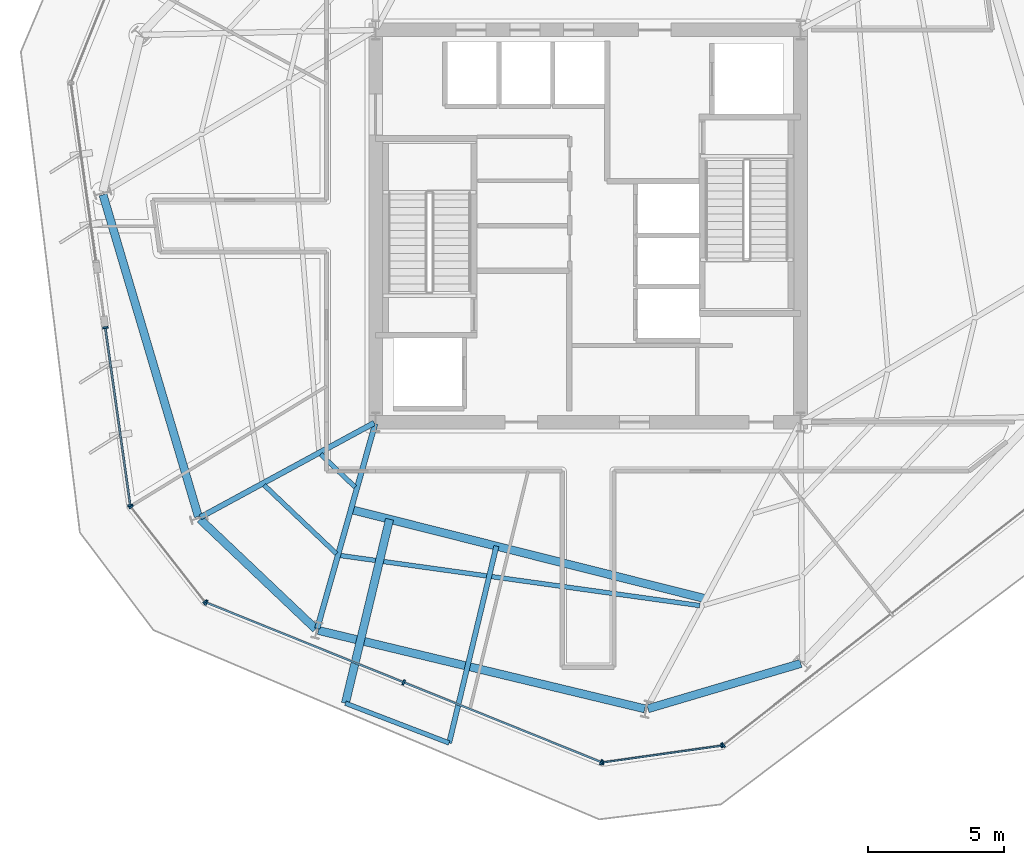
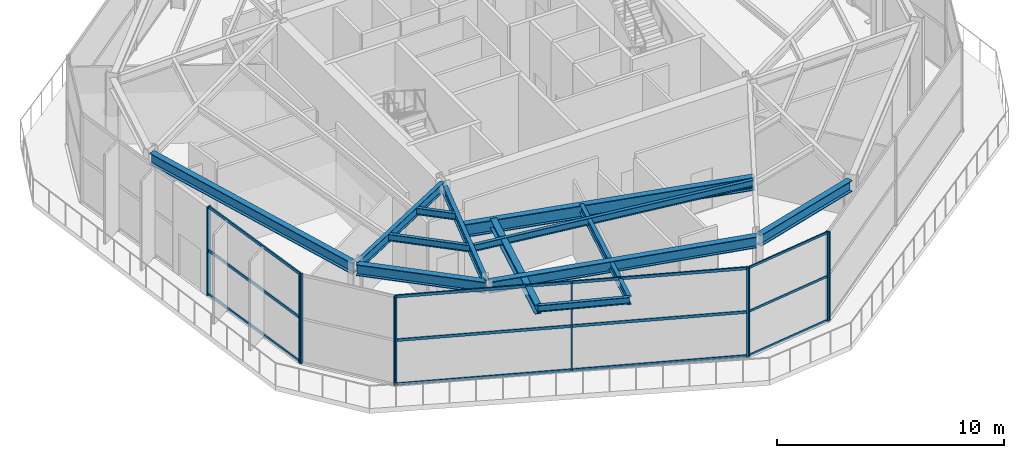
# One storey, part 2 of 14: 22 members, 13 beams, 5 elements without a shape of their own.
"""IFC4 building model written with IfcOpenShell, lengths in metres."""

from ifc_helpers import new_model, si_unit, direction, frame, origin, origin_2d, place, context, subcontext, project, spatial, rectangle, i_section, extrude, material, layer, layer_set, material_profile, profile_set, type_object, element, aggregate, save


model = new_model("IFC4")

# Units and contexts
model_context = context("Model", 3, precision=1e-05, world=origin(), true_north=direction((0.0, 1.0)))
body_context = subcontext(model_context, "Body", "Model", "MODEL_VIEW")
ifc_project = project(units=[si_unit("LENGTHUNIT", "METRE"), si_unit("AREAUNIT", "SQUARE_METRE"), si_unit("VOLUMEUNIT", "CUBIC_METRE"), si_unit("PLANEANGLEUNIT", "RADIAN"), si_unit("MASSUNIT", "GRAM", prefix="KILO")], contexts=[model_context])

# Site, building, storey
site_placement = place(None, origin())
site = spatial("IfcSite", under=ifc_project, at=site_placement, CompositionType="ELEMENT")
building_placement = place(site_placement, origin())
building = spatial("IfcBuilding", under=site, at=building_placement, Name="Kranzbogen Civic Tower", CompositionType="ELEMENT")
storey_placement = place(building_placement, frame((0.0, 0.0, 175.800048828125)))
storey = spatial("IfcBuildingStorey", under=building, at=storey_placement, Name="L42", CompositionType="ELEMENT", Elevation=175.800048828125)

# Beam
ifc_material_1 = material(Name="Steel S355", Category="steel")
ifc_material_profile_1 = material_profile(ifc_material_1, i_section(OverallWidth=0.18994140625, OverallDepth=0.449951171875, WebThickness=0.009521484375, FlangeThickness=0.0146484375, at=origin_2d()), Name="IPE 450")
ifc_profile_set_1 = profile_set([ifc_material_profile_1], Name="Steel S355")
beam_type_1 = type_object("IfcBeamType", Name="Braced Terrace Edge Beam IPE 450", PredefinedType="BEAM", material=ifc_profile_set_1)
beam_1_placement = place(storey_placement, frame((21.633056640625, 13.2470703125, 4.52490234375), z_axis=(-0.233391583111, -0.972382830439, 0.0), x_axis=(0.972382830439, -0.233391583111, 0.0)))
element("IfcBeam", 1, at=beam_1_placement, inside=storey, type_object=beam_type_1, Name="L43 back-spanned terrace beam L43-TB2-2", PredefinedType="BEAM", context=body_context, shape_type="SweptSolid", body=[
    extrude(i_section(OverallWidth=0.18994140625, OverallDepth=0.449951171875, WebThickness=0.009521484375, FlangeThickness=0.0146484375, at=origin_2d()), origin(), (0.0, 0.0, 1.0), 7.434326171875),
])

# Curtain wall, members
ifc_material_2 = material(Name="Pale Anodised Aluminium", Category="aluminium")
ifc_layer_1 = layer(ifc_material_2, 0.219970703125, Name="Pale Anodised Aluminium")
ifc_layer_set_1 = layer_set([ifc_layer_1], Name="Pale Anodised Aluminium")
curtain_wall_type_1 = type_object("IfcCurtainWallType", Name="Chamfer Facet Stick Curtain Wall System CW-06", PredefinedType="USERDEFINED", material=ifc_layer_set_1)
curtain_wall_1_placement = place(storey_placement, origin())
curtain_wall_1 = element("IfcCurtainWall", 2, at=curtain_wall_1_placement, inside=storey, type_object=curtain_wall_type_1, Name="L42 curtain wall CW-L42-C3", ObjectType="STICK CURTAIN WALL", PredefinedType="USERDEFINED")
ifc_material_profile_2 = material_profile(ifc_material_2, rectangle(XDim=0.06005859375, YDim=0.159912109375, at=origin_2d()), Name="ALU-M 60x160")
ifc_profile_set_2 = profile_set([ifc_material_profile_2], Name="Pale Anodised Aluminium")
member_type_1 = type_object("IfcMemberType", Name="Curtain Wall Mullion ALU-M 60x160", PredefinedType="MULLION", material=ifc_profile_set_2)
member_1_placement = place(storey_placement, frame((8.215576171875, 14.683349609375, 0.0), z_axis=(0.0, 0.0, 1.0), x_axis=(0.615674442522, -0.78800062235, 0.0)))
member_1 = element("IfcMember", 3, at=member_1_placement, type_object=member_type_1, Name="CW-06 mullion 1", PredefinedType="MULLION", context=body_context, shape_type="SweptSolid", body=[
    extrude(rectangle(XDim=0.06005859375, YDim=0.159912109375, at=origin_2d()), origin(), (0.0, 0.0, 1.0), 4.780029296875),
])
member_2_placement = place(storey_placement, frame((10.929443359375, 11.209716796875, 0.0), z_axis=(0.0, 0.0, 1.0), x_axis=(0.615674442522, -0.78800062235, 0.0)))
member_2 = element("IfcMember", 4, at=member_2_placement, type_object=member_type_1, Name="CW-06 mullion 2", PredefinedType="MULLION", context=body_context, shape_type="SweptSolid", body=[
    extrude(rectangle(XDim=0.06005859375, YDim=0.159912109375, at=origin_2d()), origin(), (0.0, 0.0, 1.0), 4.780029296875),
])
aggregate(curtain_wall_1, [member_1, member_2])

curtain_wall_2_placement = place(storey_placement, origin())
curtain_wall_2 = element("IfcCurtainWall", 5, at=curtain_wall_2_placement, inside=storey, type_object=curtain_wall_type_1, Name="L42 curtain wall CW-L42-C4", ObjectType="STICK CURTAIN WALL", PredefinedType="USERDEFINED")
member_3_placement = place(storey_placement, frame((25.541748046875, 5.30615234375, 0.0), z_axis=(0.0, 0.0, 1.0), x_axis=(0.990233903611, 0.139415982364, 0.0)))
member_3 = element("IfcMember", 6, at=member_3_placement, type_object=member_type_1, Name="CW-06 mullion 1", PredefinedType="MULLION", context=body_context, shape_type="SweptSolid", body=[
    extrude(rectangle(XDim=0.06005859375, YDim=0.159912109375, at=origin_2d()), origin(), (0.0, 0.0, 1.0), 4.780029296875),
])
member_4_placement = place(storey_placement, frame((29.9072265625, 5.9208984375, 0.0), z_axis=(0.0, 0.0, 1.0), x_axis=(0.990233903611, 0.139415982364, 0.0)))
member_4 = element("IfcMember", 7, at=member_4_placement, type_object=member_type_1, Name="CW-06 mullion 2", PredefinedType="MULLION", context=body_context, shape_type="SweptSolid", body=[
    extrude(rectangle(XDim=0.06005859375, YDim=0.159912109375, at=origin_2d()), origin(), (0.0, 0.0, 1.0), 4.780029296875),
])

ifc_layer_2 = layer(ifc_material_2, 0.219970703125, Name="Pale Anodised Aluminium")
ifc_layer_set_2 = layer_set([ifc_layer_2], Name="Pale Anodised Aluminium")
curtain_wall_type_2 = type_object("IfcCurtainWallType", Name="Zone 3 Stick Curtain Wall System CW-04", PredefinedType="USERDEFINED", material=ifc_layer_set_2)
curtain_wall_3_placement = place(storey_placement, origin())
curtain_wall_3 = element("IfcCurtainWall", 8, at=curtain_wall_3_placement, inside=storey, type_object=curtain_wall_type_2, Name="L42 curtain wall CW-L42-F3-S2", ObjectType="STICK CURTAIN WALL", PredefinedType="USERDEFINED")
ifc_material_profile_3 = material_profile(ifc_material_2, rectangle(XDim=0.070068359375, YDim=0.199951171875, at=origin_2d()), Name="ALU-M 70x200")
ifc_profile_set_3 = profile_set([ifc_material_profile_3], Name="Pale Anodised Aluminium")
member_type_2 = type_object("IfcMemberType", Name="Curtain Wall Mullion ALU-M 70x200", PredefinedType="MULLION", material=ifc_profile_set_3)
member_5_placement = place(storey_placement, frame((7.275146484375, 21.267333984375, 0.0), z_axis=(0.0, 0.0, 1.0), x_axis=(0.139148919332, -0.990271466947, 0.0)))
member_5 = element("IfcMember", 9, at=member_5_placement, type_object=member_type_2, Name="CW-04 mullion 1", PredefinedType="MULLION", context=body_context, shape_type="SweptSolid", body=[
    extrude(rectangle(XDim=0.070068359375, YDim=0.199951171875, at=origin_2d()), origin(), (0.0, 0.0, 1.0), 4.780029296875),
])
member_6_placement = place(storey_placement, frame((8.19287109375, 14.73681640625, 0.0), z_axis=(0.0, 0.0, 1.0), x_axis=(0.139148919332, -0.990271466947, 0.0)))
member_6 = element("IfcMember", 10, at=member_6_placement, type_object=member_type_2, Name="CW-04 mullion 2", PredefinedType="MULLION", context=body_context, shape_type="SweptSolid", body=[
    extrude(rectangle(XDim=0.070068359375, YDim=0.199951171875, at=origin_2d()), origin(), (0.0, 0.0, 1.0), 4.780029296875),
])

curtain_wall_4_placement = place(storey_placement, origin())
curtain_wall_4 = element("IfcCurtainWall", 11, at=curtain_wall_4_placement, inside=storey, type_object=curtain_wall_type_2, Name="L42 curtain wall CW-L42-F4", ObjectType="STICK CURTAIN WALL", PredefinedType="USERDEFINED")
member_7_placement = place(storey_placement, frame((10.975830078125, 11.1748046875, 0.0), z_axis=(0.0, 0.0, 1.0), x_axis=(0.927189116105, -0.374593570389, 0.0)))
member_7 = element("IfcMember", 12, at=member_7_placement, type_object=member_type_2, Name="CW-04 mullion 1", PredefinedType="MULLION", context=body_context, shape_type="SweptSolid", body=[
    extrude(rectangle(XDim=0.070068359375, YDim=0.199951171875, at=origin_2d()), origin(), (0.0, 0.0, 1.0), 4.780029296875),
])
member_8_placement = place(storey_placement, frame((18.22998046875, 8.243896484375, 0.0), z_axis=(0.0, 0.0, 1.0), x_axis=(0.927189116105, -0.374593570389, 0.0)))
member_8 = element("IfcMember", 13, at=member_8_placement, type_object=member_type_2, Name="CW-04 mullion 2", PredefinedType="MULLION", context=body_context, shape_type="SweptSolid", body=[
    extrude(rectangle(XDim=0.070068359375, YDim=0.199951171875, at=origin_2d()), origin(), (0.0, 0.0, 1.0), 4.780029296875),
])
member_9_placement = place(storey_placement, frame((25.484130859375, 5.313232421875, 0.0), z_axis=(0.0, 0.0, 1.0), x_axis=(0.927189116105, -0.374593570389, 0.0)))
member_9 = element("IfcMember", 14, at=member_9_placement, type_object=member_type_2, Name="CW-04 mullion 3", PredefinedType="MULLION", context=body_context, shape_type="SweptSolid", body=[
    extrude(rectangle(XDim=0.070068359375, YDim=0.199951171875, at=origin_2d()), origin(), (0.0, 0.0, 1.0), 4.780029296875),
])

# Curtain wall, member
curtain_wall_5_placement = place(storey_placement, origin())
curtain_wall_5 = element("IfcCurtainWall", 15, at=curtain_wall_5_placement, inside=storey, type_object=curtain_wall_type_2, Name="L42 curtain wall CW-L42-F5", ObjectType="STICK CURTAIN WALL", PredefinedType="USERDEFINED")
member_10_placement = place(storey_placement, frame((29.960693359375, 5.943359375, 0.0), z_axis=(0.0, 0.0, 1.0), x_axis=(0.788034025548, 0.615631687439, 0.0)))
member_10 = element("IfcMember", 16, at=member_10_placement, type_object=member_type_2, Name="CW-04 mullion 1", PredefinedType="MULLION", context=body_context, shape_type="SweptSolid", body=[
    extrude(rectangle(XDim=0.070068359375, YDim=0.199951171875, at=origin_2d()), origin(), (0.0, 0.0, 1.0), 4.780029296875),
])
aggregate(curtain_wall_5, [member_10])

# Member
ifc_material_profile_4 = material_profile(ifc_material_2, rectangle(XDim=0.06005859375, YDim=0.1201171875, at=origin_2d()), Name="ALU-T 60x120")
ifc_profile_set_4 = profile_set([ifc_material_profile_4], Name="Pale Anodised Aluminium")
member_type_3 = type_object("IfcMemberType", Name="Curtain Wall Transom ALU-T 60x120", PredefinedType="USERDEFINED", material=ifc_profile_set_4)
member_11_placement = place(storey_placement, frame((25.571533203125, 5.310302734375, 0.030029296875), z_axis=(0.990228252291, 0.139456116266, 0.0), x_axis=(-0.139456116266, 0.990228252291, 0.0)))
member_11 = element("IfcMember", 17, at=member_11_placement, type_object=member_type_3, Name="CW-06 transom 1.1", ObjectType="TRANSOM", PredefinedType="USERDEFINED", context=body_context, shape_type="SweptSolid", body=[
    extrude(rectangle(XDim=0.06005859375, YDim=0.1201171875, at=origin_2d()), origin(), (0.0, 0.0, 1.0), 4.3486328125),
])

member_12_placement = place(storey_placement, frame((25.571533203125, 5.310302734375, 2.39990234375), z_axis=(0.990228252291, 0.139456116266, 0.0), x_axis=(-0.139456116266, 0.990228252291, 0.0)))
member_12 = element("IfcMember", 18, at=member_12_placement, type_object=member_type_3, Name="CW-06 transom 1.2", ObjectType="TRANSOM", PredefinedType="USERDEFINED", context=body_context, shape_type="SweptSolid", body=[
    extrude(rectangle(XDim=0.06005859375, YDim=0.1201171875, at=origin_2d()), origin(), (0.0, 0.0, 1.0), 4.3486328125),
])

member_13_placement = place(storey_placement, frame((25.571533203125, 5.310302734375, 4.75), z_axis=(0.990228252291, 0.139456116266, 0.0), x_axis=(-0.139456116266, 0.990228252291, 0.0)))
member_13 = element("IfcMember", 19, at=member_13_placement, type_object=member_type_3, Name="CW-06 transom 1.3", ObjectType="TRANSOM", PredefinedType="USERDEFINED", context=body_context, shape_type="SweptSolid", body=[
    extrude(rectangle(XDim=0.06005859375, YDim=0.1201171875, at=origin_2d()), origin(), (0.0, 0.0, 1.0), 4.3486328125),
])

aggregate(curtain_wall_2, [member_3, member_4, member_11, member_12, member_13])

ifc_material_profile_5 = material_profile(ifc_material_2, rectangle(XDim=0.070068359375, YDim=0.14990234375, at=origin_2d()), Name="ALU-T 70x150")
ifc_profile_set_5 = profile_set([ifc_material_profile_5], Name="Pale Anodised Aluminium")
member_type_4 = type_object("IfcMemberType", Name="Curtain Wall Transom ALU-T 70x150", PredefinedType="USERDEFINED", material=ifc_profile_set_5)
member_14_placement = place(storey_placement, frame((7.279296875, 21.237548828125, 0.030029296875), z_axis=(0.139166676203, -0.990268971661, 0.0), x_axis=(0.990268971661, 0.139166676203, 0.0)))
member_14 = element("IfcMember", 20, at=member_14_placement, type_object=member_type_4, Name="CW-04 transom 1.1", ObjectType="TRANSOM", PredefinedType="USERDEFINED", context=body_context, shape_type="SweptSolid", body=[
    extrude(rectangle(XDim=0.070068359375, YDim=0.14990234375, at=origin_2d()), origin(), (0.0, 0.0, 1.0), 6.53466796875),
])

member_15_placement = place(storey_placement, frame((7.279296875, 21.237548828125, 2.39990234375), z_axis=(0.139166676203, -0.990268971661, 0.0), x_axis=(0.990268971661, 0.139166676203, 0.0)))
member_15 = element("IfcMember", 21, at=member_15_placement, type_object=member_type_4, Name="CW-04 transom 1.2", ObjectType="TRANSOM", PredefinedType="USERDEFINED", context=body_context, shape_type="SweptSolid", body=[
    extrude(rectangle(XDim=0.070068359375, YDim=0.14990234375, at=origin_2d()), origin(), (0.0, 0.0, 1.0), 6.53466796875),
])

member_16_placement = place(storey_placement, frame((7.279296875, 21.237548828125, 4.75), z_axis=(0.139166676203, -0.990268971661, 0.0), x_axis=(0.990268971661, 0.139166676203, 0.0)))
member_16 = element("IfcMember", 22, at=member_16_placement, type_object=member_type_4, Name="CW-04 transom 1.3", ObjectType="TRANSOM", PredefinedType="USERDEFINED", context=body_context, shape_type="SweptSolid", body=[
    extrude(rectangle(XDim=0.070068359375, YDim=0.14990234375, at=origin_2d()), origin(), (0.0, 0.0, 1.0), 6.53466796875),
])

aggregate(curtain_wall_3, [member_5, member_6, member_14, member_15, member_16])

member_17_placement = place(storey_placement, frame((11.003662109375, 11.16357421875, 0.030029296875), z_axis=(0.927180722839, -0.374614344622, 0.0), x_axis=(0.374614344622, 0.927180722839, 0.0)))
member_17 = element("IfcMember", 23, at=member_17_placement, type_object=member_type_4, Name="CW-04 transom 1.1", ObjectType="TRANSOM", PredefinedType="USERDEFINED", context=body_context, shape_type="SweptSolid", body=[
    extrude(rectangle(XDim=0.070068359375, YDim=0.14990234375, at=origin_2d()), origin(), (0.0, 0.0, 1.0), 7.763916015625),
])

member_18_placement = place(storey_placement, frame((11.003662109375, 11.16357421875, 2.39990234375), z_axis=(0.927180722839, -0.374614344622, 0.0), x_axis=(0.374614344622, 0.927180722839, 0.0)))
member_18 = element("IfcMember", 24, at=member_18_placement, type_object=member_type_4, Name="CW-04 transom 1.2", ObjectType="TRANSOM", PredefinedType="USERDEFINED", context=body_context, shape_type="SweptSolid", body=[
    extrude(rectangle(XDim=0.070068359375, YDim=0.14990234375, at=origin_2d()), origin(), (0.0, 0.0, 1.0), 7.763916015625),
])

member_19_placement = place(storey_placement, frame((11.003662109375, 11.16357421875, 4.75), z_axis=(0.927180722839, -0.374614344622, 0.0), x_axis=(0.374614344622, 0.927180722839, 0.0)))
member_19 = element("IfcMember", 25, at=member_19_placement, type_object=member_type_4, Name="CW-04 transom 1.3", ObjectType="TRANSOM", PredefinedType="USERDEFINED", context=body_context, shape_type="SweptSolid", body=[
    extrude(rectangle(XDim=0.070068359375, YDim=0.14990234375, at=origin_2d()), origin(), (0.0, 0.0, 1.0), 7.763916015625),
])

member_20_placement = place(storey_placement, frame((18.2578125, 8.232666015625, 0.030029296875), z_axis=(0.927191644822, -0.374587311281, 0.0), x_axis=(0.374587311281, 0.927191644822, 0.0)))
member_20 = element("IfcMember", 26, at=member_20_placement, type_object=member_type_4, Name="CW-04 transom 2.1", ObjectType="TRANSOM", PredefinedType="USERDEFINED", context=body_context, shape_type="SweptSolid", body=[
    extrude(rectangle(XDim=0.070068359375, YDim=0.14990234375, at=origin_2d()), origin(), (0.0, 0.0, 1.0), 7.763671875),
])

member_21_placement = place(storey_placement, frame((18.2578125, 8.232666015625, 2.39990234375), z_axis=(0.927191644822, -0.374587311281, 0.0), x_axis=(0.374587311281, 0.927191644822, 0.0)))
member_21 = element("IfcMember", 27, at=member_21_placement, type_object=member_type_4, Name="CW-04 transom 2.2", ObjectType="TRANSOM", PredefinedType="USERDEFINED", context=body_context, shape_type="SweptSolid", body=[
    extrude(rectangle(XDim=0.070068359375, YDim=0.14990234375, at=origin_2d()), origin(), (0.0, 0.0, 1.0), 7.763671875),
])

member_22_placement = place(storey_placement, frame((18.2578125, 8.232666015625, 4.75), z_axis=(0.927191644822, -0.374587311281, 0.0), x_axis=(0.374587311281, 0.927191644822, 0.0)))
member_22 = element("IfcMember", 28, at=member_22_placement, type_object=member_type_4, Name="CW-04 transom 2.3", ObjectType="TRANSOM", PredefinedType="USERDEFINED", context=body_context, shape_type="SweptSolid", body=[
    extrude(rectangle(XDim=0.070068359375, YDim=0.14990234375, at=origin_2d()), origin(), (0.0, 0.0, 1.0), 7.763671875),
])

aggregate(curtain_wall_4, [member_7, member_8, member_9, member_17, member_18, member_19, member_20, member_21, member_22])

# Beams
ifc_material_profile_6 = material_profile(ifc_material_1, i_section(OverallWidth=0.300048828125, OverallDepth=0.5, WebThickness=0.014404296875, FlangeThickness=0.028076171875, at=origin_2d()), Name="HEB 500")
ifc_profile_set_6 = profile_set([ifc_material_profile_6], Name="Steel S355")
beam_type_2 = type_object("IfcBeamType", Name="Perimeter Tube Spandrel Beam HEB 500", PredefinedType="SPANDREL", material=ifc_profile_set_6)
beam_2_placement = place(storey_placement, frame((17.7099609375, 14.23388671875, 4.5), z_axis=(-0.233360987625, -0.972390173467, 0.0), x_axis=(0.972390173467, -0.233360987625, 0.0)))
element("IfcBeam", 29, at=beam_2_placement, inside=storey, type_object=beam_type_2, Name="L43 back-spanned terrace beam L43-TB2-1", PredefinedType="SPANDREL", context=body_context, shape_type="SweptSolid", body=[
    extrude(i_section(OverallWidth=0.300048828125, OverallDepth=0.5, WebThickness=0.014404296875, FlangeThickness=0.028076171875, at=origin_2d()), origin(), (0.0, 0.0, 1.0), 6.945556640625),
])
ifc_material_profile_7 = material_profile(ifc_material_1, i_section(OverallWidth=0.300048828125, OverallDepth=0.60009765625, WebThickness=0.015380859375, FlangeThickness=0.030029296875, at=origin_2d()), Name="HEB 600")
ifc_profile_set_7 = profile_set([ifc_material_profile_7], Name="Steel S355")
beam_type_3 = type_object("IfcBeamType", Name="Perimeter Tube Spandrel Beam HEB 600", PredefinedType="SPANDREL", material=ifc_profile_set_7)
beam_3_placement = place(storey_placement, frame((10.7509765625, 14.235107421875, 4.47998046875), z_axis=(0.725245206788, -0.688490660816, 0.0), x_axis=(0.688490660816, 0.725245206788, 0.0)))
element("IfcBeam", 30, at=beam_3_placement, inside=storey, type_object=beam_type_3, Name="L42 perimeter spandrel beam 01", PredefinedType="SPANDREL", context=body_context, shape_type="SweptSolid", body=[
    extrude(i_section(OverallWidth=0.300048828125, OverallDepth=0.60009765625, WebThickness=0.015380859375, FlangeThickness=0.030029296875, at=origin_2d()), origin(), (0.0, 0.0, 1.0), 5.85205078125),
])
beam_4_placement = place(storey_placement, frame((15.096923828125, 10.15087890625, 4.47998046875), z_axis=(0.972377592092, -0.233413406637, 0.0), x_axis=(0.233413406637, 0.972377592092, 0.0)))
element("IfcBeam", 31, at=beam_4_placement, inside=storey, type_object=beam_type_3, Name="L42 perimeter spandrel beam 02", PredefinedType="SPANDREL", context=body_context, shape_type="SweptSolid", body=[
    extrude(i_section(OverallWidth=0.300048828125, OverallDepth=0.60009765625, WebThickness=0.015380859375, FlangeThickness=0.030029296875, at=origin_2d()), origin(), (0.0, 0.0, 1.0), 12.32568359375),
])
beam_5_placement = place(storey_placement, frame((27.197998046875, 7.277099609375, 4.47998046875), z_axis=(0.9588296723, 0.283981794341, 0.0), x_axis=(-0.283981794341, 0.9588296723, 0.0)))
element("IfcBeam", 32, at=beam_5_placement, inside=storey, type_object=beam_type_3, Name="L42 perimeter spandrel beam 03", PredefinedType="SPANDREL", context=body_context, shape_type="SweptSolid", body=[
    extrude(i_section(OverallWidth=0.300048828125, OverallDepth=0.60009765625, WebThickness=0.015380859375, FlangeThickness=0.030029296875, at=origin_2d()), origin(), (0.0, 0.0, 1.0), 5.85205078125),
])
beam_6_placement = place(storey_placement, frame((7.18896484375, 26.15087890625, 4.47998046875), z_axis=(0.284064048956, -0.958805306666, 0.0), x_axis=(0.958805306666, 0.284064048956, 0.0)))
element("IfcBeam", 33, at=beam_6_placement, inside=storey, type_object=beam_type_3, Name="L42 perimeter spandrel beam 12", PredefinedType="SPANDREL", context=body_context, shape_type="SweptSolid", body=[
    extrude(i_section(OverallWidth=0.300048828125, OverallDepth=0.60009765625, WebThickness=0.015380859375, FlangeThickness=0.030029296875, at=origin_2d()), origin(), (0.0, 0.0, 1.0), 12.32470703125),
])
ifc_material_profile_8 = material_profile(ifc_material_1, i_section(OverallWidth=0.300048828125, OverallDepth=0.699951171875, WebThickness=0.01708984375, FlangeThickness=0.031982421875, at=origin_2d()), Name="HEB 700")
ifc_profile_set_8 = profile_set([ifc_material_profile_8], Name="Steel S355")
beam_type_4 = type_object("IfcBeamType", Name="Perimeter Tube Spandrel Beam HEB 700", PredefinedType="SPANDREL", material=ifc_profile_set_8)
beam_7_placement = place(storey_placement, frame((16.2919921875, 14.591064453125, 4.39990234375), z_axis=(0.969754167823, -0.244083702834, 0.0), x_axis=(0.244083702834, 0.969754167823, 0.0)))
element("IfcBeam", 34, at=beam_7_placement, inside=storey, type_object=beam_type_4, Name="L43 balcony back-span header girder L43-TB2", PredefinedType="SPANDREL", context=body_context, shape_type="SweptSolid", body=[
    extrude(i_section(OverallWidth=0.300048828125, OverallDepth=0.699951171875, WebThickness=0.01708984375, FlangeThickness=0.031982421875, at=origin_2d()), origin(), (0.0, 0.0, 1.0), 13.43017578125),
])
ifc_material_profile_9 = material_profile(ifc_material_1, i_section(OverallWidth=0.199951171875, OverallDepth=0.5, WebThickness=0.01025390625, FlangeThickness=0.01611328125, at=origin_2d()), Name="IPE 500")
ifc_profile_set_9 = profile_set([ifc_material_profile_9], Name="Steel S355")
beam_type_5 = type_object("IfcBeamType", Name="Radial Tower Floor Girder IPE 500", PredefinedType="BEAM", material=ifc_profile_set_9)
beam_8_placement = place(storey_placement, frame((10.760009765625, 14.304931640625, 4.530029296875), z_axis=(0.878919430102, 0.476970266777, 0.0), x_axis=(-0.476970266777, 0.878919430102, 0.0)))
element("IfcBeam", 35, at=beam_8_placement, inside=storey, type_object=beam_type_5, Name="L42 radial floor girder 01", PredefinedType="BEAM", context=body_context, shape_type="SweptSolid", body=[
    extrude(i_section(OverallWidth=0.199951171875, OverallDepth=0.5, WebThickness=0.01025390625, FlangeThickness=0.01611328125, at=origin_2d()), origin(), (0.0, 0.0, 1.0), 7.266845703125),
])
beam_9_placement = place(storey_placement, frame((15.054931640625, 10.222900390625, 4.530029296875), z_axis=(0.272455078988, 0.962168503919, 0.0), x_axis=(-0.962168503919, 0.272455078988, 0.0)))
element("IfcBeam", 36, at=beam_9_placement, inside=storey, type_object=beam_type_5, Name="L42 radial floor girder 02", PredefinedType="BEAM", context=body_context, shape_type="SweptSolid", body=[
    extrude(i_section(OverallWidth=0.199951171875, OverallDepth=0.5, WebThickness=0.01025390625, FlangeThickness=0.01611328125, at=origin_2d()), origin(), (0.0, 0.0, 1.0), 7.814697265625),
])
ifc_material_profile_10 = material_profile(ifc_material_1, i_section(OverallWidth=0.169921875, OverallDepth=0.360107421875, WebThickness=0.008056640625, FlangeThickness=0.0126953125, at=origin_2d()), Name="IPE 360")
ifc_profile_set_10 = profile_set([ifc_material_profile_10], Name="Steel S355")
beam_type_6 = type_object("IfcBeamType", Name="Secondary Composite Floor Joist IPE 360", PredefinedType="JOIST", material=ifc_profile_set_10)
beam_10_placement = place(storey_placement, frame((13.10302734375, 15.489990234375, 4.599853515625), z_axis=(0.725300648604, -0.688432254572, 0.0), x_axis=(0.688432254572, 0.725300648604, 0.0)))
element("IfcBeam", 37, at=beam_10_placement, inside=storey, type_object=beam_type_6, Name="L42 secondary floor joist 1.01", PredefinedType="JOIST", context=body_context, shape_type="SweptSolid", body=[
    extrude(i_section(OverallWidth=0.169921875, OverallDepth=0.360107421875, WebThickness=0.008056640625, FlangeThickness=0.0126953125, at=origin_2d()), origin(), (0.0, 0.0, 1.0), 3.661865234375),
])
beam_11_placement = place(storey_placement, frame((15.179931640625, 16.616943359375, 4.599853515625), z_axis=(0.725479767774, -0.688243493649, 0.0), x_axis=(0.688243493649, 0.725479767774, 0.0)))
element("IfcBeam", 38, at=beam_11_placement, inside=storey, type_object=beam_type_6, Name="L42 secondary floor joist 2.01", PredefinedType="JOIST", context=body_context, shape_type="SweptSolid", body=[
    extrude(i_section(OverallWidth=0.169921875, OverallDepth=0.360107421875, WebThickness=0.008056640625, FlangeThickness=0.0126953125, at=origin_2d()), origin(), (0.0, 0.0, 1.0), 1.75048828125),
])
beam_12_placement = place(storey_placement, frame((15.89599609375, 12.903076171875, 4.599853515625), z_axis=(0.990445837232, -0.137902296968, 0.0), x_axis=(0.137902296968, 0.990445837232, 0.0)))
element("IfcBeam", 39, at=beam_12_placement, inside=storey, type_object=beam_type_6, Name="L42 secondary floor joist 1.02", PredefinedType="JOIST", context=body_context, shape_type="SweptSolid", body=[
    extrude(i_section(OverallWidth=0.169921875, OverallDepth=0.360107421875, WebThickness=0.008056640625, FlangeThickness=0.0126953125, at=origin_2d()), origin(), (0.0, 0.0, 1.0), 13.329345703125),
])
beam_13_placement = place(storey_placement, frame((16.089111328125, 7.47998046875, 4.570068359375), z_axis=(0.933593696006, -0.358333379379, 0.0), x_axis=(0.358333379379, 0.933593696006, 0.0)))
element("IfcBeam", 40, at=beam_13_placement, inside=storey, type_object=beam_type_6, Name="L43 terrace outer edge trimmer L43-TB2", PredefinedType="JOIST", context=body_context, shape_type="SweptSolid", body=[
    extrude(i_section(OverallWidth=0.169921875, OverallDepth=0.360107421875, WebThickness=0.008056640625, FlangeThickness=0.0126953125, at=origin_2d()), origin(), (0.0, 0.0, 1.0), 4.079833984375),
])

save(model, "model.ifc")
